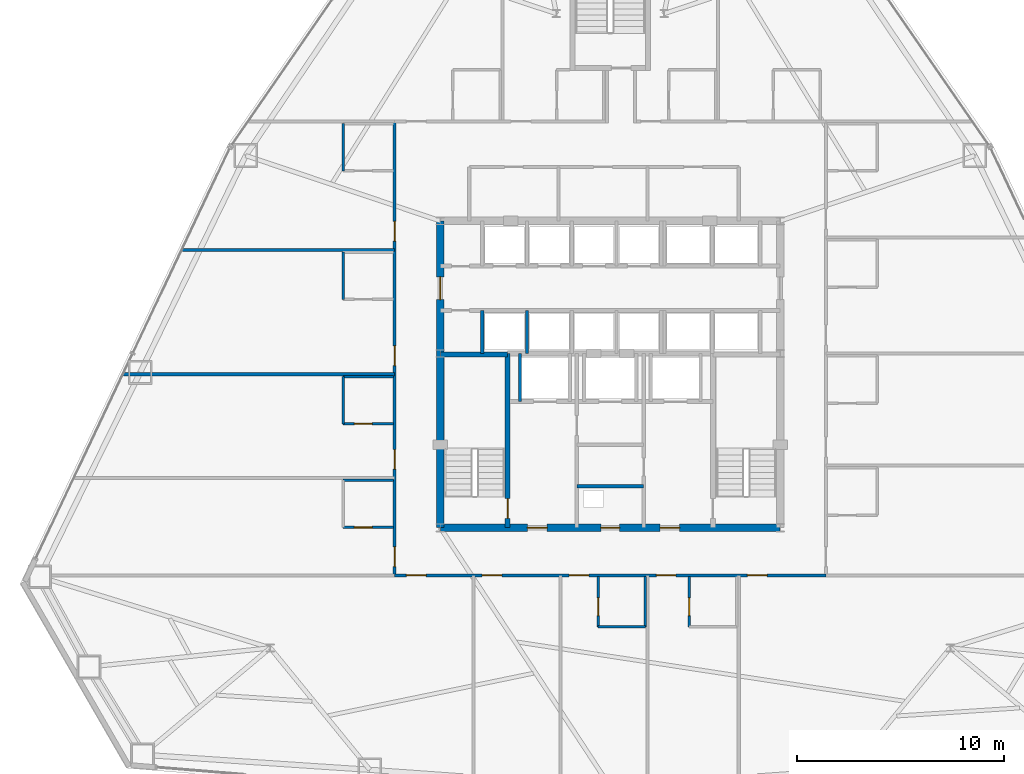
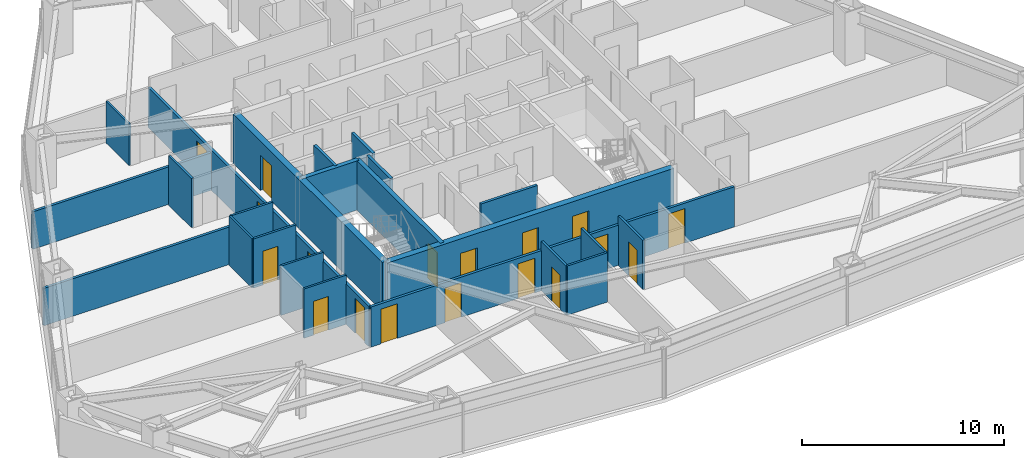
# One storey, part 9 of 13: 23 walls, 18 doors, 18 openings.
"""IFC4 building model written with IfcOpenShell, lengths in metres."""

from ifc_helpers import new_model, si_unit, direction, frame, frame_2d, origin, place, context, subcontext, project, spatial, rectangle, extrude, material, layer, layer_set, type_object, element, fill, save


model = new_model("IFC4")

# Units and contexts
model_context = context("Model", 3, precision=1e-05, world=origin(), true_north=direction((0.0, 1.0)))
body_context = subcontext(model_context, "Body", "Model", "MODEL_VIEW")
ifc_project = project(units=[si_unit("LENGTHUNIT", "METRE"), si_unit("AREAUNIT", "SQUARE_METRE"), si_unit("VOLUMEUNIT", "CUBIC_METRE"), si_unit("PLANEANGLEUNIT", "RADIAN"), si_unit("MASSUNIT", "GRAM", prefix="KILO")], contexts=[model_context])

# Site, building, storey
site_placement = place(None, origin())
site = spatial("IfcSite", under=ifc_project, at=site_placement, CompositionType="ELEMENT")
building_placement = place(site_placement, origin())
building = spatial("IfcBuilding", under=site, at=building_placement, Name="Varakhsha Concourse Tower", CompositionType="ELEMENT")
storey_placement = place(building_placement, frame((0.0, 0.0, 49.60009765625)))
storey = spatial("IfcBuildingStorey", under=building, at=storey_placement, Name="L13", CompositionType="ELEMENT", Elevation=49.60009765625)

# Wall, openings, doors
ifc_material_1 = material(Name="Concrete fc 65 MPa", Category="concrete")
ifc_layer_1 = layer(ifc_material_1, 0.35009765625, Name="WL-CORE-350")
ifc_layer_set_1 = layer_set([ifc_layer_1], Name="Concrete fc 65 MPa")
wall_type_1 = type_object("IfcWallType", Name="WL-CORE-350", PredefinedType="SHEAR", material=ifc_layer_set_1)
wall_1_placement = place(storey_placement, frame((31.800048828125, 16.39990234375, 0.0), z_axis=(0.0, 0.0, 1.0), x_axis=(1.0, 0.0, 0.0)))
wall_1 = element("IfcWall", 1, at=wall_1_placement, inside=storey, type_object=wall_type_1, Name="L13 Wall CWALL-S-L13", PredefinedType="SHEAR", context=body_context, shape_type="SweptSolid", body=[
    extrude(rectangle(XDim=16.39990234375, YDim=0.35009765625, at=frame_2d((8.199951171875, 0.0))), origin(), (0.0, 0.0, 1.0), 2.97998046875),
])
opening_1_placement = place(wall_1_placement, frame((7.75, 0.0, 0.0)))
opening_1 = element("IfcOpeningElement", 2, at=opening_1_placement, cuts=wall_1, Name="Opening DF-06", PredefinedType="OPENING", context=body_context, shape_type="SweptSolid", body=[
    extrude(rectangle(XDim=0.89990234375, YDim=2.10009765625, at=frame_2d((0.449951171875, 1.050048828125))), frame((0.0, 0.18505859375, 0.0), z_axis=(0.0, -1.0, 0.0), x_axis=(1.0, 0.0, 0.0)), (0.0, 0.0, 1.0), 0.3701171875),
])
opening_2_placement = place(wall_1_placement, frame((4.199951171875, 0.0, 0.0)))
opening_2 = element("IfcOpeningElement", 3, at=opening_2_placement, cuts=wall_1, Name="Opening DF-05", PredefinedType="OPENING", context=body_context, shape_type="SweptSolid", body=[
    extrude(rectangle(XDim=0.949951171875, YDim=2.10009765625, at=frame_2d((0.47509765625, 1.050048828125))), frame((0.0, 0.18505859375, 0.0), z_axis=(0.0, -1.0, 0.0), x_axis=(1.0, 0.0, 0.0)), (0.0, 0.0, 1.0), 0.3701171875),
])
opening_3_placement = place(wall_1_placement, frame((10.60009765625, 0.0, 0.0)))
opening_3 = element("IfcOpeningElement", 4, at=opening_3_placement, cuts=wall_1, Name="Opening DF-05", PredefinedType="OPENING", context=body_context, shape_type="SweptSolid", body=[
    extrude(rectangle(XDim=0.949951171875, YDim=2.10009765625, at=frame_2d((0.47509765625, 1.050048828125))), frame((0.0, 0.18505859375, 0.0), z_axis=(0.0, -1.0, 0.0), x_axis=(1.0, 0.0, 0.0)), (0.0, 0.0, 1.0), 0.3701171875),
])
ifc_material_2 = material(Name="Hollow Galvanised Steel Fire Door Assembly", Category="steel")
door_type_1 = type_object("IfcDoorType", Name="DR-FD60-900", OperationType="NOTDEFINED", PredefinedType="DOOR", material=ifc_material_2)
door_1_placement = place(opening_1_placement, origin())
door_1 = element("IfcDoor", 5, at=door_1_placement, inside=storey, type_object=door_type_1, Name="L13 Electrical Riser Door", OperationType="SINGLE_SWING_LEFT", OverallHeight=2.10009765625, OverallWidth=0.89990234375, PredefinedType="DOOR", context=body_context, shape_type="SweptSolid", body=[
    extrude(rectangle(XDim=0.89990234375, YDim=2.10009765625, at=frame_2d((0.449951171875, 1.050048828125))), frame((0.0, 0.02490234375, 0.0), z_axis=(0.0, -1.0, 0.0), x_axis=(1.0, 0.0, 0.0)), (0.0, 0.0, 1.0), 0.050048828125),
])
fill(opening_1, door_1)
door_type_2 = type_object("IfcDoorType", Name="DR-FD60-950", OperationType="NOTDEFINED", PredefinedType="DOOR", material=ifc_material_2)
door_2_placement = place(opening_2_placement, origin())
door_2 = element("IfcDoor", 6, at=door_2_placement, inside=storey, type_object=door_type_2, Name="L13 Firefighting Lobby West Door", OperationType="SINGLE_SWING_RIGHT", OverallHeight=2.10009765625, OverallWidth=0.949951171875, PredefinedType="DOOR", context=body_context, shape_type="SweptSolid", body=[
    extrude(rectangle(XDim=0.949951171875, YDim=2.10009765625, at=frame_2d((0.47509765625, 1.050048828125))), frame((0.0, 0.02490234375, 0.0), z_axis=(0.0, -1.0, 0.0), x_axis=(1.0, 0.0, 0.0)), (0.0, 0.0, 1.0), 0.050048828125),
])
fill(opening_2, door_2)
door_3_placement = place(opening_3_placement, origin())
door_3 = element("IfcDoor", 7, at=door_3_placement, inside=storey, type_object=door_type_2, Name="L13 Firefighting Lobby East Door", OperationType="SINGLE_SWING_LEFT", OverallHeight=2.10009765625, OverallWidth=0.949951171875, PredefinedType="DOOR", context=body_context, shape_type="SweptSolid", body=[
    extrude(rectangle(XDim=0.949951171875, YDim=2.10009765625, at=frame_2d((0.47509765625, 1.050048828125))), frame((0.0, 0.02490234375, 0.0), z_axis=(0.0, -1.0, 0.0), x_axis=(1.0, 0.0, 0.0)), (0.0, 0.0, 1.0), 0.050048828125),
])
fill(opening_3, door_3)

# Wall, opening, door
wall_2_placement = place(storey_placement, frame((31.800048828125, 16.39990234375, 0.0), z_axis=(0.0, 0.0, 1.0), x_axis=(0.0, 1.0, 0.0)))
wall_2 = element("IfcWall", 8, at=wall_2_placement, inside=storey, type_object=wall_type_1, Name="L13 Wall CWALL-W-L13", PredefinedType="SHEAR", context=body_context, shape_type="SweptSolid", body=[
    extrude(rectangle(XDim=14.800048828125, YDim=0.35009765625, at=frame_2d((7.39990234375, 0.0))), origin(), (0.0, 0.0, 1.0), 2.97998046875),
])
opening_4_placement = place(wall_2_placement, frame((11.0, 0.0, 0.0)))
opening_4 = element("IfcOpeningElement", 9, at=opening_4_placement, cuts=wall_2, Name="Opening DL-01", PredefinedType="OPENING", context=body_context, shape_type="SweptSolid", body=[
    extrude(rectangle(XDim=1.10009765625, YDim=2.14990234375, at=frame_2d((0.550048828125, 1.074951171875))), frame((0.0, 0.18505859375, 0.0), z_axis=(0.0, -1.0, 0.0), x_axis=(1.0, 0.0, 0.0)), (0.0, 0.0, 1.0), 0.3701171875),
])
ifc_material_3 = material(Name="Anodised Bronze Architectural Aluminium AA 6063-T6", Category="aluminium")
door_type_3 = type_object("IfcDoorType", Name="DR-LOB-1100", OperationType="NOTDEFINED", PredefinedType="DOOR", material=ifc_material_3)
door_4_placement = place(opening_4_placement, origin())
door_4 = element("IfcDoor", 10, at=door_4_placement, inside=storey, type_object=door_type_3, Name="L13 Lift Lobby West Concourse Door", OperationType="SINGLE_SWING_LEFT", OverallHeight=2.14990234375, OverallWidth=1.10009765625, PredefinedType="DOOR", context=body_context, shape_type="SweptSolid", body=[
    extrude(rectangle(XDim=1.10009765625, YDim=2.14990234375, at=frame_2d((0.550048828125, 1.074951171875))), frame((0.0, 0.02490234375, 0.0), z_axis=(0.0, -1.0, 0.0), x_axis=(1.0, 0.0, 0.0)), (0.0, 0.0, 1.0), 0.050048828125),
])
fill(opening_4, door_4)

ifc_material_4 = material(Name="Acoustic Gypsum Board Partition Assembly", Category="gypsum")
ifc_layer_2 = layer(ifc_material_4, 0.1201171875, Name="WL-PART-120")
ifc_layer_set_2 = layer_set([ifc_layer_2], Name="Acoustic Gypsum Board Partition Assembly")
wall_type_2 = type_object("IfcWallType", Name="WL-PART-120", PredefinedType="PARTITIONING", material=ifc_layer_set_2)
wall_3_placement = place(storey_placement, frame((39.409912109375, 11.610107421875, 0.0), z_axis=(0.0, 0.0, 1.0), x_axis=(0.0, 1.0, 0.0)))
wall_3 = element("IfcWall", 11, at=wall_3_placement, inside=storey, type_object=wall_type_2, Name="L13 Wall ENSW-W-L13-H03", PredefinedType="PARTITIONING", context=body_context, shape_type="SweptSolid", body=[
    extrude(rectangle(XDim=2.429931640625, YDim=0.1201171875, at=frame_2d((1.21484375, 0.0))), origin(), (0.0, 0.0, 1.0), 2.97998046875),
])
opening_5_placement = place(wall_3_placement, frame((0.550048828125, 0.0, 0.0)))
opening_5 = element("IfcOpeningElement", 12, at=opening_5_placement, cuts=wall_3, Name="Opening DI-01", PredefinedType="OPENING", context=body_context, shape_type="SweptSolid", body=[
    extrude(rectangle(XDim=0.85009765625, YDim=2.050048828125, at=frame_2d((0.425048828125, 1.02490234375))), frame((0.0, 0.070068359375, 0.0), z_axis=(0.0, -1.0, 0.0), x_axis=(1.0, 0.0, 0.0)), (0.0, 0.0, 1.0), 0.14013671875),
])
ifc_material_5 = material(Name="Architectural Walnut Acoustic Timber Door", Category="wood")
door_type_4 = type_object("IfcDoorType", Name="DR-INT-850", OperationType="NOTDEFINED", PredefinedType="DOOR", material=ifc_material_5)
door_5_placement = place(opening_5_placement, origin())
door_5 = element("IfcDoor", 13, at=door_5_placement, inside=storey, type_object=door_type_4, Name="L13 En-suite Bathroom Door L13-H03", OperationType="SINGLE_SWING_RIGHT", OverallHeight=2.050048828125, OverallWidth=0.85009765625, PredefinedType="DOOR", context=body_context, shape_type="SweptSolid", body=[
    extrude(rectangle(XDim=0.85009765625, YDim=2.050048828125, at=frame_2d((0.425048828125, 1.02490234375))), frame((0.0, 0.02490234375, 0.0), z_axis=(0.0, -1.0, 0.0), x_axis=(1.0, 0.0, 0.0)), (0.0, 0.0, 1.0), 0.050048828125),
])
fill(opening_5, door_5)

# Walls
wall_4_placement = place(storey_placement, frame((41.68994140625, 11.610107421875, 0.0), z_axis=(0.0, 0.0, 1.0), x_axis=(0.0, 1.0, 0.0)))
element("IfcWall", 14, at=wall_4_placement, inside=storey, type_object=wall_type_2, Name="L13 Wall ENSW-E-L13-H03", PredefinedType="PARTITIONING", context=body_context, shape_type="SweptSolid", body=[
    extrude(rectangle(XDim=2.429931640625, YDim=0.1201171875, at=frame_2d((1.21484375, 0.0))), origin(), (0.0, 0.0, 1.0), 2.97998046875),
])
wall_5_placement = place(storey_placement, frame((39.409912109375, 11.610107421875, 0.0), z_axis=(0.0, 0.0, 1.0), x_axis=(1.0, 0.0, 0.0)))
element("IfcWall", 15, at=wall_5_placement, inside=storey, type_object=wall_type_2, Name="L13 Wall ENSW-S-L13-H03", PredefinedType="PARTITIONING", context=body_context, shape_type="SweptSolid", body=[
    extrude(rectangle(XDim=2.280029296875, YDim=0.1201171875, at=frame_2d((1.14013671875, 0.0))), origin(), (0.0, 0.0, 1.0), 2.97998046875),
])

# Wall, opening, door
wall_6_placement = place(storey_placement, frame((43.81005859375, 11.610107421875, 0.0), z_axis=(0.0, 0.0, 1.0), x_axis=(0.0, 1.0, 0.0)))
wall_6 = element("IfcWall", 16, at=wall_6_placement, inside=storey, type_object=wall_type_2, Name="L13 Wall ENSW-W-L13-H04", PredefinedType="PARTITIONING", context=body_context, shape_type="SweptSolid", body=[
    extrude(rectangle(XDim=2.429931640625, YDim=0.1201171875, at=frame_2d((1.21484375, 0.0))), origin(), (0.0, 0.0, 1.0), 2.97998046875),
])
opening_6_placement = place(wall_6_placement, frame((0.550048828125, 0.0, 0.0)))
opening_6 = element("IfcOpeningElement", 17, at=opening_6_placement, cuts=wall_6, Name="Opening DI-01", PredefinedType="OPENING", context=body_context, shape_type="SweptSolid", body=[
    extrude(rectangle(XDim=0.85009765625, YDim=2.050048828125, at=frame_2d((0.425048828125, 1.02490234375))), frame((0.0, 0.070068359375, 0.0), z_axis=(0.0, -1.0, 0.0), x_axis=(1.0, 0.0, 0.0)), (0.0, 0.0, 1.0), 0.14013671875),
])
door_6_placement = place(opening_6_placement, origin())
door_6 = element("IfcDoor", 18, at=door_6_placement, inside=storey, type_object=door_type_4, Name="L13 En-suite Bathroom Door L13-H04", OperationType="SINGLE_SWING_RIGHT", OverallHeight=2.050048828125, OverallWidth=0.85009765625, PredefinedType="DOOR", context=body_context, shape_type="SweptSolid", body=[
    extrude(rectangle(XDim=0.85009765625, YDim=2.050048828125, at=frame_2d((0.425048828125, 1.02490234375))), frame((0.0, 0.02490234375, 0.0), z_axis=(0.0, -1.0, 0.0), x_axis=(1.0, 0.0, 0.0)), (0.0, 0.0, 1.0), 0.050048828125),
])
fill(opening_6, door_6)

wall_7_placement = place(storey_placement, frame((27.110107421875, 16.409912109375, 0.0), z_axis=(0.0, 0.0, 1.0), x_axis=(1.0, 0.0, 0.0)))
wall_7 = element("IfcWall", 19, at=wall_7_placement, inside=storey, type_object=wall_type_2, Name="L13 Wall ENSW-S-L13-H06", PredefinedType="PARTITIONING", context=body_context, shape_type="SweptSolid", body=[
    extrude(rectangle(XDim=2.429931640625, YDim=0.1201171875, at=frame_2d((1.21484375, 0.0))), origin(), (0.0, 0.0, 1.0), 2.97998046875),
])
opening_7_placement = place(wall_7_placement, frame((0.550048828125, 0.0, 0.0)))
opening_7 = element("IfcOpeningElement", 20, at=opening_7_placement, cuts=wall_7, Name="Opening DI-01", PredefinedType="OPENING", context=body_context, shape_type="SweptSolid", body=[
    extrude(rectangle(XDim=0.85009765625, YDim=2.050048828125, at=frame_2d((0.425048828125, 1.02490234375))), frame((0.0, 0.070068359375, 0.0), z_axis=(0.0, -1.0, 0.0), x_axis=(1.0, 0.0, 0.0)), (0.0, 0.0, 1.0), 0.14013671875),
])
door_7_placement = place(opening_7_placement, origin())
door_7 = element("IfcDoor", 21, at=door_7_placement, inside=storey, type_object=door_type_4, Name="L13 En-suite Bathroom Door L13-H06", OperationType="SINGLE_SWING_RIGHT", OverallHeight=2.050048828125, OverallWidth=0.85009765625, PredefinedType="DOOR", context=body_context, shape_type="SweptSolid", body=[
    extrude(rectangle(XDim=0.85009765625, YDim=2.050048828125, at=frame_2d((0.425048828125, 1.02490234375))), frame((0.0, 0.02490234375, 0.0), z_axis=(0.0, -1.0, 0.0), x_axis=(1.0, 0.0, 0.0)), (0.0, 0.0, 1.0), 0.050048828125),
])
fill(opening_7, door_7)

# Walls
wall_8_placement = place(storey_placement, frame((27.110107421875, 18.68994140625, 0.0), z_axis=(0.0, 0.0, 1.0), x_axis=(1.0, 0.0, 0.0)))
element("IfcWall", 22, at=wall_8_placement, inside=storey, type_object=wall_type_2, Name="L13 Wall ENSW-N-L13-H06", PredefinedType="PARTITIONING", context=body_context, shape_type="SweptSolid", body=[
    extrude(rectangle(XDim=2.429931640625, YDim=0.1201171875, at=frame_2d((1.21484375, 0.0))), origin(), (0.0, 0.0, 1.0), 2.97998046875),
])
wall_9_placement = place(storey_placement, frame((27.110107421875, 21.409912109375, 0.0), z_axis=(0.0, 0.0, 1.0), x_axis=(0.0, 1.0, 0.0)))
element("IfcWall", 23, at=wall_9_placement, inside=storey, type_object=wall_type_2, Name="L13 Wall ENSW-W-L13-H07", PredefinedType="PARTITIONING", context=body_context, shape_type="SweptSolid", body=[
    extrude(rectangle(XDim=2.280029296875, YDim=0.1201171875, at=frame_2d((1.14013671875, 0.0))), origin(), (0.0, 0.0, 1.0), 2.97998046875),
])

# Wall, opening, door
wall_10_placement = place(storey_placement, frame((27.110107421875, 21.409912109375, 0.0), z_axis=(0.0, 0.0, 1.0), x_axis=(1.0, 0.0, 0.0)))
wall_10 = element("IfcWall", 24, at=wall_10_placement, inside=storey, type_object=wall_type_2, Name="L13 Wall ENSW-S-L13-H07", PredefinedType="PARTITIONING", context=body_context, shape_type="SweptSolid", body=[
    extrude(rectangle(XDim=2.429931640625, YDim=0.1201171875, at=frame_2d((1.21484375, 0.0))), origin(), (0.0, 0.0, 1.0), 2.97998046875),
])
opening_8_placement = place(wall_10_placement, frame((0.550048828125, 0.0, 0.0)))
opening_8 = element("IfcOpeningElement", 25, at=opening_8_placement, cuts=wall_10, Name="Opening DI-01", PredefinedType="OPENING", context=body_context, shape_type="SweptSolid", body=[
    extrude(rectangle(XDim=0.85009765625, YDim=2.050048828125, at=frame_2d((0.425048828125, 1.02490234375))), frame((0.0, 0.070068359375, 0.0), z_axis=(0.0, -1.0, 0.0), x_axis=(1.0, 0.0, 0.0)), (0.0, 0.0, 1.0), 0.14013671875),
])
door_8_placement = place(opening_8_placement, origin())
door_8 = element("IfcDoor", 26, at=door_8_placement, inside=storey, type_object=door_type_4, Name="L13 En-suite Bathroom Door L13-H07", OperationType="SINGLE_SWING_RIGHT", OverallHeight=2.050048828125, OverallWidth=0.85009765625, PredefinedType="DOOR", context=body_context, shape_type="SweptSolid", body=[
    extrude(rectangle(XDim=0.85009765625, YDim=2.050048828125, at=frame_2d((0.425048828125, 1.02490234375))), frame((0.0, 0.02490234375, 0.0), z_axis=(0.0, -1.0, 0.0), x_axis=(1.0, 0.0, 0.0)), (0.0, 0.0, 1.0), 0.050048828125),
])
fill(opening_8, door_8)

# Walls
wall_11_placement = place(storey_placement, frame((27.110107421875, 23.68994140625, 0.0), z_axis=(0.0, 0.0, 1.0), x_axis=(1.0, 0.0, 0.0)))
element("IfcWall", 27, at=wall_11_placement, inside=storey, type_object=wall_type_2, Name="L13 Wall ENSW-N-L13-H07", PredefinedType="PARTITIONING", context=body_context, shape_type="SweptSolid", body=[
    extrude(rectangle(XDim=2.429931640625, YDim=0.1201171875, at=frame_2d((1.21484375, 0.0))), origin(), (0.0, 0.0, 1.0), 2.97998046875),
])
wall_12_placement = place(storey_placement, frame((27.110107421875, 27.409912109375, 0.0), z_axis=(0.0, 0.0, 1.0), x_axis=(0.0, 1.0, 0.0)))
element("IfcWall", 28, at=wall_12_placement, inside=storey, type_object=wall_type_2, Name="L13 Wall ENSW-W-L13-H08", PredefinedType="PARTITIONING", context=body_context, shape_type="SweptSolid", body=[
    extrude(rectangle(XDim=2.280029296875, YDim=0.1201171875, at=frame_2d((1.14013671875, 0.0))), origin(), (0.0, 0.0, 1.0), 2.97998046875),
])
wall_13_placement = place(storey_placement, frame((27.110107421875, 33.610107421875, 0.0), z_axis=(0.0, 0.0, 1.0), x_axis=(0.0, 1.0, 0.0)))
element("IfcWall", 29, at=wall_13_placement, inside=storey, type_object=wall_type_2, Name="L13 Wall ENSW-W-L13-H09", PredefinedType="PARTITIONING", context=body_context, shape_type="SweptSolid", body=[
    extrude(rectangle(XDim=2.27978515625, YDim=0.1201171875, at=frame_2d((1.139892578125, 0.0))), origin(), (0.0, 0.0, 1.0), 2.512939453125),
])
ifc_material_6 = material(Name="Fire-Rated Type X Gypsum Partition Assembly", Category="gypsum")
ifc_layer_3 = layer(ifc_material_6, 0.14990234375, Name="WL-PART-150")
ifc_layer_set_3 = layer_set([ifc_layer_3], Name="Fire-Rated Type X Gypsum Partition Assembly")
wall_type_3 = type_object("IfcWallType", Name="WL-PART-150", PredefinedType="PARTITIONING", material=ifc_layer_set_3)
wall_14_placement = place(storey_placement, frame((38.389892578125, 18.39990234375, 0.0), z_axis=(0.0, 0.0, 1.0), x_axis=(1.0, 0.0, 0.0)))
element("IfcWall", 30, at=wall_14_placement, inside=storey, type_object=wall_type_3, Name="L13 Wall RSW-H1-L13", PredefinedType="PARTITIONING", context=body_context, shape_type="SweptSolid", body=[
    extrude(rectangle(XDim=3.22021484375, YDim=0.14990234375, at=frame_2d((1.610107421875, 0.0))), origin(), (0.0, 0.0, 1.0), 2.97998046875),
])

# Wall, openings, doors
wall_15_placement = place(storey_placement, frame((29.60009765625, 14.10009765625, 0.0), z_axis=(0.0, 0.0, 1.0), x_axis=(1.0, 0.0, 0.0)))
wall_15 = element("IfcWall", 31, at=wall_15_placement, inside=storey, type_object=wall_type_3, Name="L13 Wall CRW-S-L13", PredefinedType="PARTITIONING", context=body_context, shape_type="SweptSolid", body=[
    extrude(rectangle(XDim=20.7998046875, YDim=0.14990234375, at=frame_2d((10.39990234375, 0.0))), origin(), (0.0, 0.0, 1.0), 2.430908203125),
])
opening_9_placement = place(wall_15_placement, frame((0.570068359375, 0.0, 0.0)))
opening_9 = element("IfcOpeningElement", 32, at=opening_9_placement, cuts=wall_15, Name="Opening DF-05", PredefinedType="OPENING", context=body_context, shape_type="SweptSolid", body=[
    extrude(rectangle(XDim=0.949951171875, YDim=2.10009765625, at=frame_2d((0.47509765625, 1.050048828125))), frame((0.0, 0.0849609375, 0.0), z_axis=(0.0, -1.0, 0.0), x_axis=(1.0, 0.0, 0.0)), (0.0, 0.0, 1.0), 0.169921875),
])
opening_10_placement = place(wall_15_placement, frame((4.219970703125, 0.0, 0.0)))
opening_10 = element("IfcOpeningElement", 33, at=opening_10_placement, cuts=wall_15, Name="Opening DF-05", PredefinedType="OPENING", context=body_context, shape_type="SweptSolid", body=[
    extrude(rectangle(XDim=0.949951171875, YDim=2.10009765625, at=frame_2d((0.47509765625, 1.050048828125))), frame((0.0, 0.0849609375, 0.0), z_axis=(0.0, -1.0, 0.0), x_axis=(1.0, 0.0, 0.0)), (0.0, 0.0, 1.0), 0.169921875),
])
opening_11_placement = place(wall_15_placement, frame((8.419921875, 0.0, 0.0)))
opening_11 = element("IfcOpeningElement", 34, at=opening_11_placement, cuts=wall_15, Name="Opening DF-05", PredefinedType="OPENING", context=body_context, shape_type="SweptSolid", body=[
    extrude(rectangle(XDim=0.949951171875, YDim=2.10009765625, at=frame_2d((0.47509765625, 1.050048828125))), frame((0.0, 0.0849609375, 0.0), z_axis=(0.0, -1.0, 0.0), x_axis=(1.0, 0.0, 0.0)), (0.0, 0.0, 1.0), 0.169921875),
])
opening_12_placement = place(wall_15_placement, frame((12.6201171875, 0.0, 0.0)))
opening_12 = element("IfcOpeningElement", 35, at=opening_12_placement, cuts=wall_15, Name="Opening DF-05", PredefinedType="OPENING", context=body_context, shape_type="SweptSolid", body=[
    extrude(rectangle(XDim=0.949951171875, YDim=2.10009765625, at=frame_2d((0.47509765625, 1.050048828125))), frame((0.0, 0.0849609375, 0.0), z_axis=(0.0, -1.0, 0.0), x_axis=(1.0, 0.0, 0.0)), (0.0, 0.0, 1.0), 0.169921875),
])
opening_13_placement = place(wall_15_placement, frame((17.02001953125, 0.0, 0.0)))
opening_13 = element("IfcOpeningElement", 36, at=opening_13_placement, cuts=wall_15, Name="Opening DF-05", PredefinedType="OPENING", context=body_context, shape_type="SweptSolid", body=[
    extrude(rectangle(XDim=0.949951171875, YDim=2.10009765625, at=frame_2d((0.47509765625, 1.050048828125))), frame((0.0, 0.0849609375, 0.0), z_axis=(0.0, -1.0, 0.0), x_axis=(1.0, 0.0, 0.0)), (0.0, 0.0, 1.0), 0.169921875),
])
door_9_placement = place(opening_9_placement, origin())
door_9 = element("IfcDoor", 37, at=door_9_placement, inside=storey, type_object=door_type_2, Name="L13 Hotel Executive Salon L13-H01 Door", OperationType="SINGLE_SWING_LEFT", OverallHeight=2.10009765625, OverallWidth=0.949951171875, PredefinedType="DOOR", context=body_context, shape_type="SweptSolid", body=[
    extrude(rectangle(XDim=0.949951171875, YDim=2.10009765625, at=frame_2d((0.47509765625, 1.050048828125))), frame((0.0, 0.02490234375, 0.0), z_axis=(0.0, -1.0, 0.0), x_axis=(1.0, 0.0, 0.0)), (0.0, 0.0, 1.0), 0.050048828125),
])
fill(opening_9, door_9)
door_10_placement = place(opening_10_placement, origin())
door_10 = element("IfcDoor", 38, at=door_10_placement, inside=storey, type_object=door_type_2, Name="L13 Business Center Salon L13-H02 Door", OperationType="SINGLE_SWING_RIGHT", OverallHeight=2.10009765625, OverallWidth=0.949951171875, PredefinedType="DOOR", context=body_context, shape_type="SweptSolid", body=[
    extrude(rectangle(XDim=0.949951171875, YDim=2.10009765625, at=frame_2d((0.47509765625, 1.050048828125))), frame((0.0, 0.02490234375, 0.0), z_axis=(0.0, -1.0, 0.0), x_axis=(1.0, 0.0, 0.0)), (0.0, 0.0, 1.0), 0.050048828125),
])
fill(opening_10, door_10)
door_11_placement = place(opening_11_placement, origin())
door_11 = element("IfcDoor", 39, at=door_11_placement, inside=storey, type_object=door_type_2, Name="L13 Hotel Guest Room L13-H03 Entry Door", OperationType="SINGLE_SWING_LEFT", OverallHeight=2.10009765625, OverallWidth=0.949951171875, PredefinedType="DOOR", context=body_context, shape_type="SweptSolid", body=[
    extrude(rectangle(XDim=0.949951171875, YDim=2.10009765625, at=frame_2d((0.47509765625, 1.050048828125))), frame((0.0, 0.02490234375, 0.0), z_axis=(0.0, -1.0, 0.0), x_axis=(1.0, 0.0, 0.0)), (0.0, 0.0, 1.0), 0.050048828125),
])
fill(opening_11, door_11)
door_12_placement = place(opening_12_placement, origin())
door_12 = element("IfcDoor", 40, at=door_12_placement, inside=storey, type_object=door_type_2, Name="L13 Hotel Guest Room L13-H04 Entry Door", OperationType="SINGLE_SWING_RIGHT", OverallHeight=2.10009765625, OverallWidth=0.949951171875, PredefinedType="DOOR", context=body_context, shape_type="SweptSolid", body=[
    extrude(rectangle(XDim=0.949951171875, YDim=2.10009765625, at=frame_2d((0.47509765625, 1.050048828125))), frame((0.0, 0.02490234375, 0.0), z_axis=(0.0, -1.0, 0.0), x_axis=(1.0, 0.0, 0.0)), (0.0, 0.0, 1.0), 0.050048828125),
])
fill(opening_12, door_12)
door_13_placement = place(opening_13_placement, origin())
door_13 = element("IfcDoor", 41, at=door_13_placement, inside=storey, type_object=door_type_2, Name="L13 Hotel Executive Salon L13-H05 Door", OperationType="SINGLE_SWING_LEFT", OverallHeight=2.10009765625, OverallWidth=0.949951171875, PredefinedType="DOOR", context=body_context, shape_type="SweptSolid", body=[
    extrude(rectangle(XDim=0.949951171875, YDim=2.10009765625, at=frame_2d((0.47509765625, 1.050048828125))), frame((0.0, 0.02490234375, 0.0), z_axis=(0.0, -1.0, 0.0), x_axis=(1.0, 0.0, 0.0)), (0.0, 0.0, 1.0), 0.050048828125),
])
fill(opening_13, door_13)

wall_16_placement = place(storey_placement, frame((29.60009765625, 14.10009765625, 0.0), z_axis=(0.0, 0.0, 1.0), x_axis=(0.0, 1.0, 0.0)))
wall_16 = element("IfcWall", 42, at=wall_16_placement, inside=storey, type_object=wall_type_3, Name="L13 Wall CRW-W-L13", PredefinedType="PARTITIONING", context=body_context, shape_type="SweptSolid", body=[
    extrude(rectangle(XDim=21.89990234375, YDim=0.14990234375, at=frame_2d((10.949951171875, 0.0))), origin(), (0.0, 0.0, 1.0), 2.430908203125),
])
opening_14_placement = place(wall_16_placement, frame((0.419921875, 0.0, 0.0)))
opening_14 = element("IfcOpeningElement", 43, at=opening_14_placement, cuts=wall_16, Name="Opening DF-05", PredefinedType="OPENING", context=body_context, shape_type="SweptSolid", body=[
    extrude(rectangle(XDim=0.949951171875, YDim=2.10009765625, at=frame_2d((0.47509765625, 1.050048828125))), frame((0.0, 0.0849609375, 0.0), z_axis=(0.0, -1.0, 0.0), x_axis=(1.0, 0.0, 0.0)), (0.0, 0.0, 1.0), 0.169921875),
])
opening_15_placement = place(wall_16_placement, frame((5.1201171875, 0.0, 0.0)))
opening_15 = element("IfcOpeningElement", 44, at=opening_15_placement, cuts=wall_16, Name="Opening DF-05", PredefinedType="OPENING", context=body_context, shape_type="SweptSolid", body=[
    extrude(rectangle(XDim=0.949951171875, YDim=2.10009765625, at=frame_2d((0.47509765625, 1.050048828125))), frame((0.0, 0.0849609375, 0.0), z_axis=(0.0, -1.0, 0.0), x_axis=(1.0, 0.0, 0.0)), (0.0, 0.0, 1.0), 0.169921875),
])
opening_16_placement = place(wall_16_placement, frame((10.1201171875, 0.0, 0.0)))
opening_16 = element("IfcOpeningElement", 45, at=opening_16_placement, cuts=wall_16, Name="Opening DF-05", PredefinedType="OPENING", context=body_context, shape_type="SweptSolid", body=[
    extrude(rectangle(XDim=0.949951171875, YDim=2.10009765625, at=frame_2d((0.47509765625, 1.050048828125))), frame((0.0, 0.0849609375, 0.0), z_axis=(0.0, -1.0, 0.0), x_axis=(1.0, 0.0, 0.0)), (0.0, 0.0, 1.0), 0.169921875),
])
opening_17_placement = place(wall_16_placement, frame((16.1201171875, 0.0, 0.0)))
opening_17 = element("IfcOpeningElement", 46, at=opening_17_placement, cuts=wall_16, Name="Opening DF-05", PredefinedType="OPENING", context=body_context, shape_type="SweptSolid", body=[
    extrude(rectangle(XDim=0.949951171875, YDim=2.10009765625, at=frame_2d((0.47509765625, 1.050048828125))), frame((0.0, 0.0849609375, 0.0), z_axis=(0.0, -1.0, 0.0), x_axis=(1.0, 0.0, 0.0)), (0.0, 0.0, 1.0), 0.169921875),
])
door_14_placement = place(opening_14_placement, origin())
door_14 = element("IfcDoor", 47, at=door_14_placement, inside=storey, type_object=door_type_2, Name="L13 Hotel Corner Suite L13-H06 Entry Door", OperationType="SINGLE_SWING_RIGHT", OverallHeight=2.10009765625, OverallWidth=0.949951171875, PredefinedType="DOOR", context=body_context, shape_type="SweptSolid", body=[
    extrude(rectangle(XDim=0.949951171875, YDim=2.10009765625, at=frame_2d((0.47509765625, 1.050048828125))), frame((0.0, 0.02490234375, 0.0), z_axis=(0.0, -1.0, 0.0), x_axis=(1.0, 0.0, 0.0)), (0.0, 0.0, 1.0), 0.050048828125),
])
fill(opening_14, door_14)
door_15_placement = place(opening_15_placement, origin())
door_15 = element("IfcDoor", 48, at=door_15_placement, inside=storey, type_object=door_type_2, Name="L13 Hotel Corner Suite L13-H07 Entry Door", OperationType="SINGLE_SWING_LEFT", OverallHeight=2.10009765625, OverallWidth=0.949951171875, PredefinedType="DOOR", context=body_context, shape_type="SweptSolid", body=[
    extrude(rectangle(XDim=0.949951171875, YDim=2.10009765625, at=frame_2d((0.47509765625, 1.050048828125))), frame((0.0, 0.02490234375, 0.0), z_axis=(0.0, -1.0, 0.0), x_axis=(1.0, 0.0, 0.0)), (0.0, 0.0, 1.0), 0.050048828125),
])
fill(opening_15, door_15)
door_16_placement = place(opening_16_placement, origin())
door_16 = element("IfcDoor", 49, at=door_16_placement, inside=storey, type_object=door_type_2, Name="L13 Hotel Corner Suite L13-H08 Entry Door", OperationType="SINGLE_SWING_RIGHT", OverallHeight=2.10009765625, OverallWidth=0.949951171875, PredefinedType="DOOR", context=body_context, shape_type="SweptSolid", body=[
    extrude(rectangle(XDim=0.949951171875, YDim=2.10009765625, at=frame_2d((0.47509765625, 1.050048828125))), frame((0.0, 0.02490234375, 0.0), z_axis=(0.0, -1.0, 0.0), x_axis=(1.0, 0.0, 0.0)), (0.0, 0.0, 1.0), 0.050048828125),
])
fill(opening_16, door_16)
door_17_placement = place(opening_17_placement, origin())
door_17 = element("IfcDoor", 50, at=door_17_placement, inside=storey, type_object=door_type_2, Name="L13 Hotel Corner Suite L13-H09 Entry Door", OperationType="SINGLE_SWING_LEFT", OverallHeight=2.10009765625, OverallWidth=0.949951171875, PredefinedType="DOOR", context=body_context, shape_type="SweptSolid", body=[
    extrude(rectangle(XDim=0.949951171875, YDim=2.10009765625, at=frame_2d((0.47509765625, 1.050048828125))), frame((0.0, 0.02490234375, 0.0), z_axis=(0.0, -1.0, 0.0), x_axis=(1.0, 0.0, 0.0)), (0.0, 0.0, 1.0), 0.050048828125),
])
fill(opening_17, door_17)

# Walls
wall_17_placement = place(storey_placement, frame((16.4951171875, 23.800048828125, 0.0), z_axis=(0.0, 0.0, 1.0), x_axis=(1.0, 0.0, 0.0)))
element("IfcWall", 51, at=wall_17_placement, inside=storey, type_object=wall_type_3, Name="L13 Wall HDIV-W2-L13", PredefinedType="PARTITIONING", context=body_context, shape_type="SweptSolid", body=[
    extrude(rectangle(XDim=13.10498046875, YDim=0.14990234375, at=frame_2d((6.552490234375, 0.0))), origin(), (0.0, 0.0, 1.0), 2.267822265625),
])
wall_18_placement = place(storey_placement, frame((19.333251953125, 29.800048828125, 0.0), z_axis=(0.0, 0.0, 1.0), x_axis=(1.0, 0.0, 0.0)))
element("IfcWall", 52, at=wall_18_placement, inside=storey, type_object=wall_type_3, Name="L13 Wall HDIV-W3-L13", PredefinedType="PARTITIONING", context=body_context, shape_type="SweptSolid", body=[
    extrude(rectangle(XDim=10.266845703125, YDim=0.14990234375, at=frame_2d((5.13330078125, 0.0))), origin(), (0.0, 0.0, 1.0), 2.267822265625),
])
ifc_layer_4 = layer(ifc_material_6, 0.199951171875, Name="WL-SHAFT-220")
ifc_layer_set_4 = layer_set([ifc_layer_4], Name="Fire-Rated Type X Gypsum Partition Assembly")
wall_type_4 = type_object("IfcWallType", Name="WL-SHAFT-220", PredefinedType="SOLIDWALL", material=ifc_layer_set_4)
wall_19_placement = place(storey_placement, frame((35.64990234375, 22.47998046875, 0.0), z_axis=(0.0, 0.0, 1.0), x_axis=(0.0, 1.0, 0.0)))
element("IfcWall", 53, at=wall_19_placement, inside=storey, type_object=wall_type_4, Name="L13 Wall SHW-FFL-1-W-L13", PredefinedType="SOLIDWALL", context=body_context, shape_type="SweptSolid", body=[
    extrude(rectangle(XDim=2.320068359375, YDim=0.159912109375, at=frame_2d((1.16015625, 0.0))), origin(), (0.0, 0.0, 1.0), 2.97998046875),
])
for number, where, z_axis, x_axis, name in (
    (54, (33.820068359375, 24.800048828125, 0.0), (0.0, 0.0, 1.0), (0.0, 1.0, 0.0), "L13 Wall WBOH-E2-L13"),
    (55, (35.97998046875, 24.800048828125, 0.0), (0.0, 0.0, 1.0), (0.0, 1.0, 0.0), "L13 Wall SHW-LF-P05-E-L13"),
):
    element("IfcWall", number, at=place(storey_placement, frame(where, z_axis=z_axis, x_axis=x_axis)), inside=storey, type_object=wall_type_4, Name=name, PredefinedType="SOLIDWALL", context=body_context, shape_type="SweptSolid", body=[
        extrude(rectangle(XDim=2.079833984375, YDim=0.159912109375, at=frame_2d((1.0400390625, 0.0))), origin(), (0.0, 0.0, 1.0), 2.97998046875),
    ])

# Wall, opening, door
ifc_material_7 = material(Name="Concrete fc 45 MPa", Category="concrete")
ifc_layer_5 = layer(ifc_material_7, 0.25, Name="WL-STAIR-250")
ifc_layer_set_5 = layer_set([ifc_layer_5], Name="Concrete fc 45 MPa")
wall_type_5 = type_object("IfcWallType", Name="WL-STAIR-250", PredefinedType="SHEAR", material=ifc_layer_set_5)
wall_20_placement = place(storey_placement, frame((35.044921875, 16.39990234375, 0.0), z_axis=(0.0, 0.0, 1.0), x_axis=(0.0, 1.0, 0.0)))
wall_20 = element("IfcWall", 56, at=wall_20_placement, inside=storey, type_object=wall_type_5, Name="L13 Wall SWALL-ST1-E-L13", PredefinedType="SHEAR", context=body_context, shape_type="SweptSolid", body=[
    extrude(rectangle(XDim=8.400146484375, YDim=0.25, at=frame_2d((4.2001953125, 0.0))), origin(), (0.0, 0.0, 1.0), 2.97998046875),
])
opening_18_placement = place(wall_20_placement, frame((0.449951171875, 0.0, 0.0)))
opening_18 = element("IfcOpeningElement", 57, at=opening_18_placement, cuts=wall_20, Name="Opening DF-03", PredefinedType="OPENING", context=body_context, shape_type="SweptSolid", body=[
    extrude(rectangle(XDim=0.949951171875, YDim=2.10009765625, at=frame_2d((0.47509765625, 1.050048828125))), frame((0.0, 0.135009765625, 0.0), z_axis=(0.0, -1.0, 0.0), x_axis=(1.0, 0.0, 0.0)), (0.0, 0.0, 1.0), 0.27001953125),
])
door_type_5 = type_object("IfcDoorType", Name="DR-FD90-950", OperationType="NOTDEFINED", PredefinedType="DOOR", material=ifc_material_2)
door_18_placement = place(opening_18_placement, origin())
door_18 = element("IfcDoor", 58, at=door_18_placement, inside=storey, type_object=door_type_5, Name="L13 Stair ST1 Fire Door", OperationType="SINGLE_SWING_LEFT", OverallHeight=2.10009765625, OverallWidth=0.949951171875, PredefinedType="DOOR", context=body_context, shape_type="SweptSolid", body=[
    extrude(rectangle(XDim=0.949951171875, YDim=2.10009765625, at=frame_2d((0.47509765625, 1.050048828125))), frame((0.0, 0.02490234375, 0.0), z_axis=(0.0, -1.0, 0.0), x_axis=(1.0, 0.0, 0.0)), (0.0, 0.0, 1.0), 0.050048828125),
])
fill(opening_18, door_18)

# Wall
wall_21_placement = place(storey_placement, frame((31.800048828125, 24.7548828125, 0.0), z_axis=(0.0, 0.0, 1.0), x_axis=(1.0, 0.0, 0.0)))
element("IfcWall", 59, at=wall_21_placement, inside=storey, type_object=wall_type_5, Name="L13 Wall SWALL-ST1-N-L13", PredefinedType="SHEAR", context=body_context, shape_type="SweptSolid", body=[
    extrude(rectangle(XDim=3.244873046875, YDim=0.25, at=frame_2d((1.62255859375, 0.0))), origin(), (0.0, 0.0, 1.0), 2.97998046875),
])

save(model, "model.ifc")
